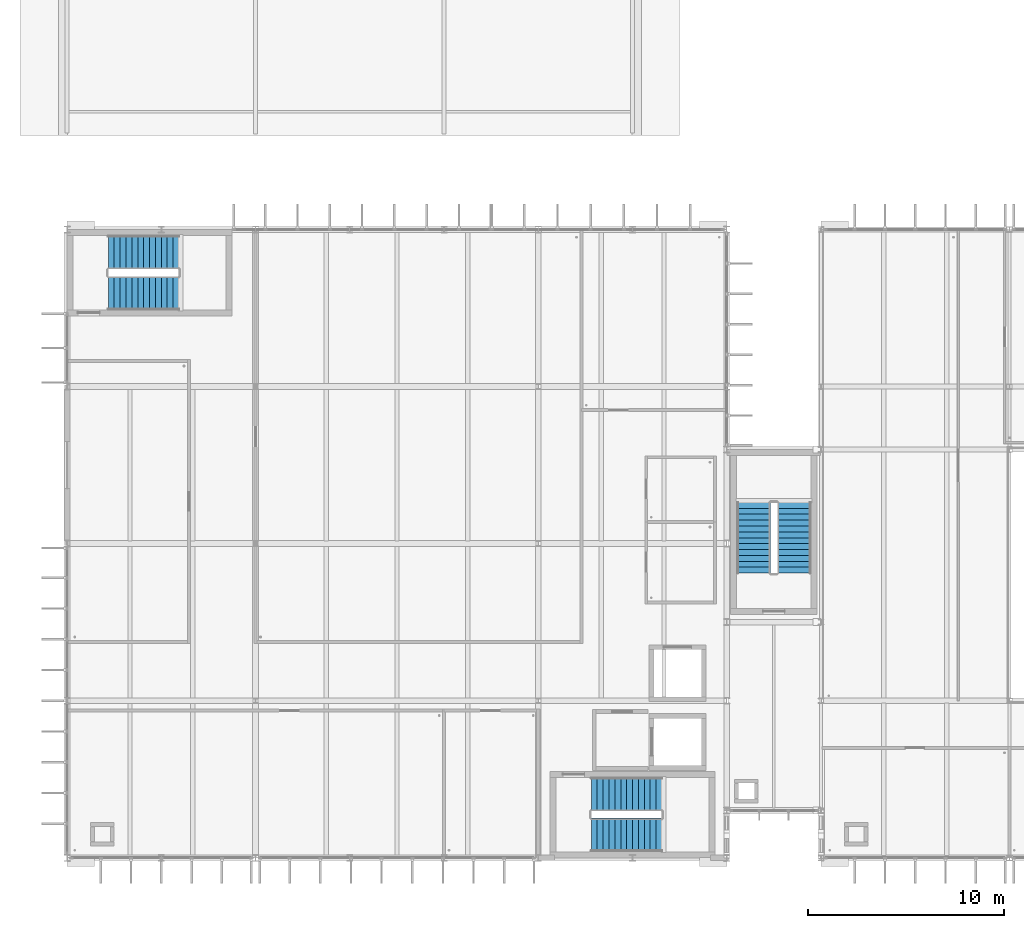
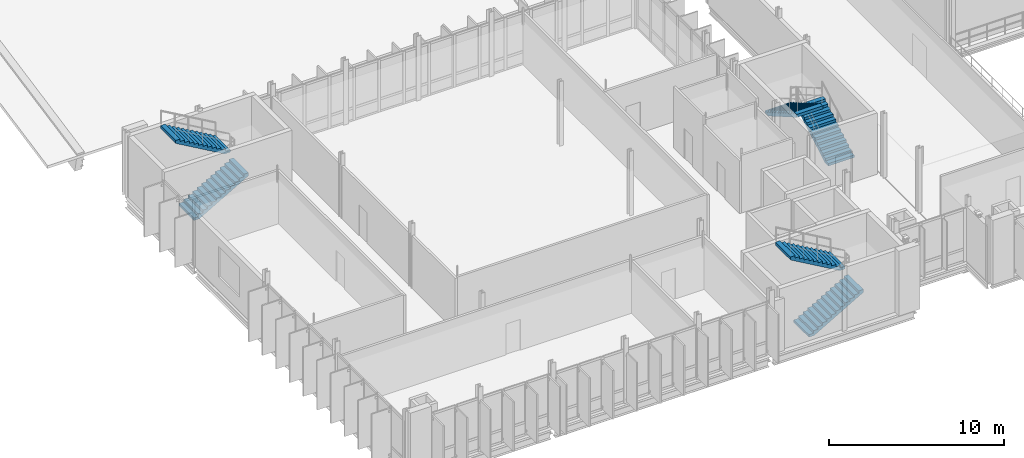
# One storey, part 36 of 59: 6 stair flights, 3 elements without a shape of their own.
"""IFC4 building model written with IfcOpenShell, lengths in metres."""

from ifc_helpers import new_model, si_unit, direction, frame, origin, place, context, subcontext, project, spatial, polyline, outline, extrude, material, type_object, element, aggregate, save


model = new_model("IFC4")

# Units and contexts
model_context = context("Model", 3, precision=1e-05, world=origin(), true_north=direction((0.0, 1.0)))
body_context = subcontext(model_context, "Body", "Model", "MODEL_VIEW")
ifc_project = project(units=[si_unit("LENGTHUNIT", "METRE"), si_unit("AREAUNIT", "SQUARE_METRE"), si_unit("VOLUMEUNIT", "CUBIC_METRE"), si_unit("PLANEANGLEUNIT", "RADIAN"), si_unit("MASSUNIT", "GRAM", prefix="KILO")], contexts=[model_context])

# Site, building, storey
site_placement = place(None, origin())
site = spatial("IfcSite", under=ifc_project, at=site_placement, CompositionType="ELEMENT")
building_placement = place(site_placement, origin())
building = spatial("IfcBuilding", under=site, at=building_placement, Name="Dunescarp Central Library", CompositionType="ELEMENT")
storey_placement = place(building_placement, frame((0.0, 0.0, 18.60009765625)))
storey = spatial("IfcBuildingStorey", under=building, at=storey_placement, Name="L04", CompositionType="ELEMENT", Elevation=18.60009765625)

# Stair, stair flights
ifc_material = material(Name="Concrete C35/45", Category="concrete")
stair_type = type_object("IfcStairType", Name="ARC-STR-TYP", PredefinedType="HALF_TURN_STAIR", material=ifc_material)
stair_1_placement = place(storey_placement, origin())
stair_1 = element("IfcStair", 1, at=stair_1_placement, inside=storey, type_object=stair_type, Name="L04 Protected escape stair ST-1", PredefinedType="HALF_TURN_STAIR")
stair_flight_type = type_object("IfcStairFlightType", Name="ARC-FLT-TYP", PredefinedType="STRAIGHT", material=ifc_material)
stair_flight_1_placement = place(storey_placement, frame((26.699951171875, 5.9599609375, 0.0), z_axis=(0.0, 0.0, 1.0), x_axis=(1.0, 0.0, 0.0)))
stair_flight_1 = element("IfcStairFlight", 2, at=stair_flight_1_placement, type_object=stair_flight_type, Name="ST-1 flight 1", NumberOfRisers=13, NumberOfTreads=12, PredefinedType="STRAIGHT", RiserHeight=0.173076923, TreadLength=0.3, context=body_context, shape_type="SweptSolid", body=[
    extrude(outline(polyline([(0.0, 0.0), (0.0, 0.173095703125), (0.300048828125, 0.173095703125), (0.300048828125, 0.34619140625), (0.60009765625, 0.34619140625), (0.60009765625, 0.519287109375), (0.89990234375, 0.519287109375), (0.89990234375, 0.6923828125), (1.199951171875, 0.6923828125), (1.199951171875, 0.865478515625), (1.5, 0.865478515625), (1.5, 1.03857421875), (1.800048828125, 1.03857421875), (1.800048828125, 1.21142578125), (2.10009765625, 1.21142578125), (2.10009765625, 1.384521484375), (2.39990234375, 1.384521484375), (2.39990234375, 1.5576171875), (2.699951171875, 1.5576171875), (2.699951171875, 1.730712890625), (3.0, 1.730712890625), (3.0, 1.90380859375), (3.300048828125, 1.90380859375), (3.300048828125, 2.076904296875), (3.60009765625, 2.076904296875), (3.60009765625, 2.25), (3.60009765625, 1.869140625), (0.360107421875, 0.0), (0.0, 0.0)])), frame((0.0, 0.85986328125, 0.0), z_axis=(0.0, -1.0, 0.0), x_axis=(1.0, 0.0, 0.0)), (0.0, 0.0, 1.0), 1.719970703125),
])
stair_flight_2_placement = place(storey_placement, frame((30.300048828125, 8.0400390625, 2.25), z_axis=(0.0, 0.0, 1.0), x_axis=(-1.0, 0.0, 0.0)))
stair_flight_2 = element("IfcStairFlight", 3, at=stair_flight_2_placement, type_object=stair_flight_type, Name="ST-1 flight 2", NumberOfRisers=13, NumberOfTreads=12, PredefinedType="STRAIGHT", RiserHeight=0.173076923, TreadLength=0.3, context=body_context, shape_type="SweptSolid", body=[
    extrude(outline(polyline([(0.0, 0.0), (0.0, 0.173095703125), (0.300048828125, 0.173095703125), (0.300048828125, 0.34619140625), (0.60009765625, 0.34619140625), (0.60009765625, 0.519287109375), (0.89990234375, 0.519287109375), (0.89990234375, 0.6923828125), (1.199951171875, 0.6923828125), (1.199951171875, 0.865478515625), (1.5, 0.865478515625), (1.5, 1.03857421875), (1.800048828125, 1.03857421875), (1.800048828125, 1.21142578125), (2.10009765625, 1.21142578125), (2.10009765625, 1.384521484375), (2.39990234375, 1.384521484375), (2.39990234375, 1.5576171875), (2.699951171875, 1.5576171875), (2.699951171875, 1.730712890625), (3.0, 1.730712890625), (3.0, 1.90380859375), (3.300048828125, 1.90380859375), (3.300048828125, 2.076904296875), (3.60009765625, 2.076904296875), (3.60009765625, 2.25), (3.60009765625, 1.869140625), (0.360107421875, 0.0), (0.0, 0.0)])), frame((0.0, 0.85986328125, 0.0), z_axis=(0.0, -1.0, 0.0), x_axis=(1.0, 0.0, 0.0)), (0.0, 0.0, 1.0), 1.719970703125),
])
aggregate(stair_1, [stair_flight_1, stair_flight_2])

stair_2_placement = place(storey_placement, origin())
stair_2 = element("IfcStair", 4, at=stair_2_placement, inside=storey, type_object=stair_type, Name="L04 Protected escape stair ST-6", PredefinedType="HALF_TURN_STAIR")
stair_flight_3_placement = place(storey_placement, frame((2.10009765625, 33.56005859375, 0.0), z_axis=(0.0, 0.0, 1.0), x_axis=(1.0, 0.0, 0.0)))
stair_flight_3 = element("IfcStairFlight", 5, at=stair_flight_3_placement, type_object=stair_flight_type, Name="ST-6 flight 1", NumberOfRisers=13, NumberOfTreads=12, PredefinedType="STRAIGHT", RiserHeight=0.173076923, TreadLength=0.3, context=body_context, shape_type="SweptSolid", body=[
    extrude(outline(polyline([(0.0, 0.0), (0.0, 0.173095703125), (0.300048828125, 0.173095703125), (0.300048828125, 0.34619140625), (0.60009765625, 0.34619140625), (0.60009765625, 0.519287109375), (0.89990234375, 0.519287109375), (0.89990234375, 0.6923828125), (1.199951171875, 0.6923828125), (1.199951171875, 0.865478515625), (1.5, 0.865478515625), (1.5, 1.03857421875), (1.800048828125, 1.03857421875), (1.800048828125, 1.21142578125), (2.10009765625, 1.21142578125), (2.10009765625, 1.384521484375), (2.39990234375, 1.384521484375), (2.39990234375, 1.5576171875), (2.699951171875, 1.5576171875), (2.699951171875, 1.730712890625), (3.0, 1.730712890625), (3.0, 1.90380859375), (3.300048828125, 1.90380859375), (3.300048828125, 2.076904296875), (3.60009765625, 2.076904296875), (3.60009765625, 2.25), (3.60009765625, 1.869140625), (0.360107421875, 0.0), (0.0, 0.0)])), frame((0.0, 0.85986328125, 0.0), z_axis=(0.0, -1.0, 0.0), x_axis=(1.0, 0.0, 0.0)), (0.0, 0.0, 1.0), 1.719970703125),
])
stair_flight_4_placement = place(storey_placement, frame((5.699951171875, 35.639892578125, 2.25), z_axis=(0.0, 0.0, 1.0), x_axis=(-1.0, 0.0, 0.0)))
stair_flight_4 = element("IfcStairFlight", 6, at=stair_flight_4_placement, type_object=stair_flight_type, Name="ST-6 flight 2", NumberOfRisers=13, NumberOfTreads=12, PredefinedType="STRAIGHT", RiserHeight=0.173076923, TreadLength=0.3, context=body_context, shape_type="SweptSolid", body=[
    extrude(outline(polyline([(0.0, 0.0), (0.0, 0.173095703125), (0.300048828125, 0.173095703125), (0.300048828125, 0.34619140625), (0.60009765625, 0.34619140625), (0.60009765625, 0.519287109375), (0.89990234375, 0.519287109375), (0.89990234375, 0.6923828125), (1.199951171875, 0.6923828125), (1.199951171875, 0.865478515625), (1.5, 0.865478515625), (1.5, 1.03857421875), (1.800048828125, 1.03857421875), (1.800048828125, 1.21142578125), (2.10009765625, 1.21142578125), (2.10009765625, 1.384521484375), (2.39990234375, 1.384521484375), (2.39990234375, 1.5576171875), (2.699951171875, 1.5576171875), (2.699951171875, 1.730712890625), (3.0, 1.730712890625), (3.0, 1.90380859375), (3.300048828125, 1.90380859375), (3.300048828125, 2.076904296875), (3.60009765625, 2.076904296875), (3.60009765625, 2.25), (3.60009765625, 1.869140625), (0.360107421875, 0.0), (0.0, 0.0)])), frame((0.0, 0.85986328125, 0.0), z_axis=(0.0, -1.0, 0.0), x_axis=(1.0, 0.0, 0.0)), (0.0, 0.0, 1.0), 1.719970703125),
])
aggregate(stair_2, [stair_flight_3, stair_flight_4])

stair_3_placement = place(storey_placement, origin())
stair_3 = element("IfcStair", 7, at=stair_3_placement, inside=storey, type_object=stair_type, Name="L04 Protected escape stair ST-2", PredefinedType="HALF_TURN_STAIR")
stair_flight_5_placement = place(storey_placement, frame((37.0400390625, 19.300048828125, 0.0), z_axis=(0.0, 0.0, 1.0), x_axis=(0.0, 1.0, 0.0)))
stair_flight_5 = element("IfcStairFlight", 8, at=stair_flight_5_placement, type_object=stair_flight_type, Name="ST-2 flight 1", NumberOfRisers=13, NumberOfTreads=12, PredefinedType="STRAIGHT", RiserHeight=0.173076923, TreadLength=0.3, context=body_context, shape_type="SweptSolid", body=[
    extrude(outline(polyline([(0.0, 0.0), (0.0, 0.173095703125), (0.300048828125, 0.173095703125), (0.300048828125, 0.34619140625), (0.60009765625, 0.34619140625), (0.60009765625, 0.519287109375), (0.89990234375, 0.519287109375), (0.89990234375, 0.6923828125), (1.199951171875, 0.6923828125), (1.199951171875, 0.865478515625), (1.5, 0.865478515625), (1.5, 1.03857421875), (1.800048828125, 1.03857421875), (1.800048828125, 1.21142578125), (2.10009765625, 1.21142578125), (2.10009765625, 1.384521484375), (2.39990234375, 1.384521484375), (2.39990234375, 1.5576171875), (2.699951171875, 1.5576171875), (2.699951171875, 1.730712890625), (3.0, 1.730712890625), (3.0, 1.90380859375), (3.300048828125, 1.90380859375), (3.300048828125, 2.076904296875), (3.60009765625, 2.076904296875), (3.60009765625, 2.25), (3.60009765625, 1.869140625), (0.360107421875, 0.0), (0.0, 0.0)])), frame((0.0, 0.85986328125, 0.0), z_axis=(0.0, -1.0, 0.0), x_axis=(1.0, 0.0, 0.0)), (0.0, 0.0, 1.0), 1.719970703125),
])
stair_flight_6_placement = place(storey_placement, frame((34.9599609375, 22.89990234375, 2.25), z_axis=(0.0, 0.0, 1.0), x_axis=(0.0, -1.0, 0.0)))
stair_flight_6 = element("IfcStairFlight", 9, at=stair_flight_6_placement, type_object=stair_flight_type, Name="ST-2 flight 2", NumberOfRisers=13, NumberOfTreads=12, PredefinedType="STRAIGHT", RiserHeight=0.173076923, TreadLength=0.3, context=body_context, shape_type="SweptSolid", body=[
    extrude(outline(polyline([(0.0, 0.0), (0.0, 0.173095703125), (0.300048828125, 0.173095703125), (0.300048828125, 0.34619140625), (0.60009765625, 0.34619140625), (0.60009765625, 0.519287109375), (0.89990234375, 0.519287109375), (0.89990234375, 0.6923828125), (1.199951171875, 0.6923828125), (1.199951171875, 0.865478515625), (1.5, 0.865478515625), (1.5, 1.03857421875), (1.800048828125, 1.03857421875), (1.800048828125, 1.21142578125), (2.10009765625, 1.21142578125), (2.10009765625, 1.384521484375), (2.39990234375, 1.384521484375), (2.39990234375, 1.5576171875), (2.699951171875, 1.5576171875), (2.699951171875, 1.730712890625), (3.0, 1.730712890625), (3.0, 1.90380859375), (3.300048828125, 1.90380859375), (3.300048828125, 2.076904296875), (3.60009765625, 2.076904296875), (3.60009765625, 2.25), (3.60009765625, 1.869140625), (0.360107421875, 0.0), (0.0, 0.0)])), frame((0.0, 0.85986328125, 0.0), z_axis=(0.0, -1.0, 0.0), x_axis=(1.0, 0.0, 0.0)), (0.0, 0.0, 1.0), 1.719970703125),
])
aggregate(stair_3, [stair_flight_5, stair_flight_6])

save(model, "model.ifc")
